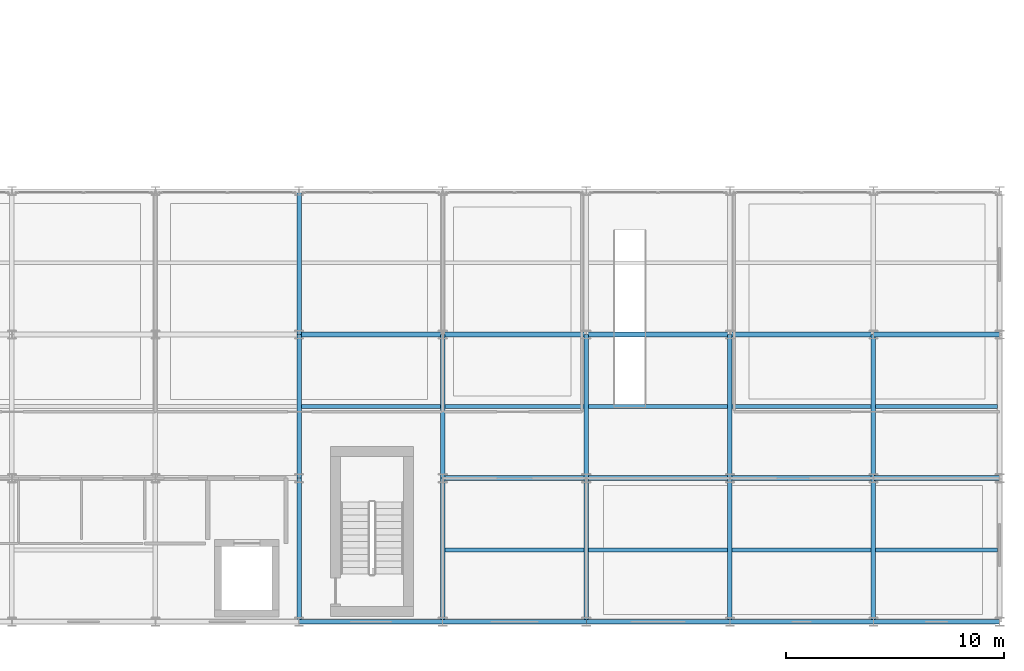
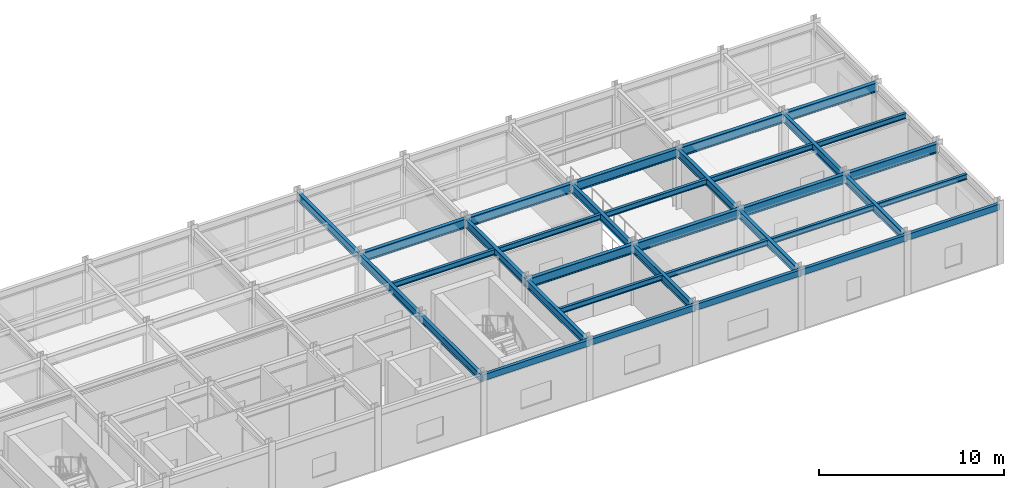
# One storey, part 90 of 147: 34 beams.
"""IFC4 building model written with IfcOpenShell, lengths in metres."""

from ifc_helpers import new_model, si_unit, direction, frame, origin, origin_2d, place, context, subcontext, project, spatial, hollow_rectangle, i_section, extrude, material, material_profile, profile_set, type_object, element, save


model = new_model("IFC4")

# Units and contexts
model_context = context("Model", 3, precision=1e-05, world=origin(), true_north=direction((0.0, 1.0)))
body_context = subcontext(model_context, "Body", "Model", "MODEL_VIEW")
ifc_project = project(units=[si_unit("LENGTHUNIT", "METRE"), si_unit("AREAUNIT", "SQUARE_METRE"), si_unit("VOLUMEUNIT", "CUBIC_METRE"), si_unit("PLANEANGLEUNIT", "RADIAN"), si_unit("MASSUNIT", "GRAM", prefix="KILO")], contexts=[model_context])

# Site, building, storey
site_placement = place(None, origin())
site = spatial("IfcSite", under=ifc_project, at=site_placement, CompositionType="ELEMENT")
building_placement = place(site_placement, origin())
building = spatial("IfcBuilding", under=site, at=building_placement, Name="Karori Crest Natural Sciences Institute", CompositionType="ELEMENT")
storey_placement = place(building_placement, frame((0.0, 0.0, 9.10009765625)))
storey = spatial("IfcBuildingStorey", under=building, at=storey_placement, Name="L02", CompositionType="ELEMENT", Elevation=9.10009765625)

# Beams
ifc_material_1 = material(Name="Structural steel AS/NZS 3679.1 Grade 350", Category="steel")
ifc_material_profile_1 = material_profile(ifc_material_1, i_section(OverallWidth=0.22900390625, OverallDepth=0.612060546875, WebThickness=0.011962890625, FlangeThickness=0.01953125, FilletRadius=0.013916015625, at=origin_2d()), Name="610UB125")
ifc_profile_set_1 = profile_set([ifc_material_profile_1], Name="Structural steel AS/NZS 3679.1 Grade 350")
beam_type_1 = type_object("IfcBeamType", Name="BT-04", PredefinedType="BEAM", material=ifc_profile_set_1)
beam_1_placement = place(storey_placement, frame((136.60009765625, 7.39990234375, 3.614013671875), z_axis=(1.0, 0.0, 0.0), x_axis=(0.0, 1.0, 0.0)))
element("IfcBeam", 1, at=beam_1_placement, inside=storey, type_object=beam_type_1, Name="Beam B-2207", PredefinedType="BEAM", context=body_context, shape_type="SweptSolid", body=[
    extrude(i_section(OverallWidth=0.22900390625, OverallDepth=0.612060546875, WebThickness=0.011962890625, FlangeThickness=0.01953125, FilletRadius=0.013916015625, at=origin_2d()), origin(), (0.0, 0.0, 1.0), 6.599853515625),
])
beam_2_placement = place(storey_placement, frame((143.199951171875, 7.39990234375, 3.614013671875), z_axis=(1.0, 0.0, 0.0), x_axis=(0.0, 1.0, 0.0)))
element("IfcBeam", 2, at=beam_2_placement, inside=storey, type_object=beam_type_1, Name="Beam B-2208", PredefinedType="BEAM", context=body_context, shape_type="SweptSolid", body=[
    extrude(i_section(OverallWidth=0.22900390625, OverallDepth=0.612060546875, WebThickness=0.011962890625, FlangeThickness=0.01953125, FilletRadius=0.013916015625, at=origin_2d()), origin(), (0.0, 0.0, 1.0), 6.60009765625),
])
beam_3_placement = place(storey_placement, frame((149.800048828125, 7.39990234375, 3.614013671875), z_axis=(1.0, 0.0, 0.0), x_axis=(0.0, 1.0, 0.0)))
element("IfcBeam", 3, at=beam_3_placement, inside=storey, type_object=beam_type_1, Name="Beam B-2209", PredefinedType="BEAM", context=body_context, shape_type="SweptSolid", body=[
    extrude(i_section(OverallWidth=0.22900390625, OverallDepth=0.612060546875, WebThickness=0.011962890625, FlangeThickness=0.01953125, FilletRadius=0.013916015625, at=origin_2d()), origin(), (0.0, 0.0, 1.0), 6.599853515625),
])
beam_4_placement = place(storey_placement, frame((156.39990234375, 7.39990234375, 3.614013671875), z_axis=(1.0, 0.0, 0.0), x_axis=(0.0, 1.0, 0.0)))
element("IfcBeam", 4, at=beam_4_placement, inside=storey, type_object=beam_type_1, Name="Beam B-2210", PredefinedType="BEAM", context=body_context, shape_type="SweptSolid", body=[
    extrude(i_section(OverallWidth=0.22900390625, OverallDepth=0.612060546875, WebThickness=0.011962890625, FlangeThickness=0.01953125, FilletRadius=0.013916015625, at=origin_2d()), origin(), (0.0, 0.0, 1.0), 5.800048828125),
])
beam_5_placement = place(storey_placement, frame((130.0, 14.0, 3.614013671875), z_axis=(1.0, 0.0, 0.0), x_axis=(0.0, 1.0, 0.0)))
element("IfcBeam", 5, at=beam_5_placement, inside=storey, type_object=beam_type_1, Name="Beam B-2215", PredefinedType="BEAM", context=body_context, shape_type="SweptSolid", body=[
    extrude(i_section(OverallWidth=0.22900390625, OverallDepth=0.612060546875, WebThickness=0.011962890625, FlangeThickness=0.01953125, FilletRadius=0.013916015625, at=origin_2d()), origin(), (0.0, 0.0, 1.0), 6.60009765625),
])
beam_6_placement = place(storey_placement, frame((136.60009765625, 14.0, 3.614013671875), z_axis=(1.0, 0.0, 0.0), x_axis=(0.0, 1.0, 0.0)))
element("IfcBeam", 6, at=beam_6_placement, inside=storey, type_object=beam_type_1, Name="Beam B-2216", PredefinedType="BEAM", context=body_context, shape_type="SweptSolid", body=[
    extrude(i_section(OverallWidth=0.22900390625, OverallDepth=0.612060546875, WebThickness=0.011962890625, FlangeThickness=0.01953125, FilletRadius=0.013916015625, at=origin_2d()), origin(), (0.0, 0.0, 1.0), 6.599853515625),
])
beam_7_placement = place(storey_placement, frame((143.199951171875, 14.0, 3.614013671875), z_axis=(1.0, 0.0, 0.0), x_axis=(0.0, 1.0, 0.0)))
element("IfcBeam", 7, at=beam_7_placement, inside=storey, type_object=beam_type_1, Name="Beam B-2217", PredefinedType="BEAM", context=body_context, shape_type="SweptSolid", body=[
    extrude(i_section(OverallWidth=0.22900390625, OverallDepth=0.612060546875, WebThickness=0.011962890625, FlangeThickness=0.01953125, FilletRadius=0.013916015625, at=origin_2d()), origin(), (0.0, 0.0, 1.0), 6.60009765625),
])
beam_8_placement = place(storey_placement, frame((149.800048828125, 14.0, 3.614013671875), z_axis=(1.0, 0.0, 0.0), x_axis=(0.0, 1.0, 0.0)))
element("IfcBeam", 8, at=beam_8_placement, inside=storey, type_object=beam_type_1, Name="Beam B-2218", PredefinedType="BEAM", context=body_context, shape_type="SweptSolid", body=[
    extrude(i_section(OverallWidth=0.22900390625, OverallDepth=0.612060546875, WebThickness=0.011962890625, FlangeThickness=0.01953125, FilletRadius=0.013916015625, at=origin_2d()), origin(), (0.0, 0.0, 1.0), 6.599853515625),
])
beam_9_placement = place(storey_placement, frame((156.39990234375, 14.0, 3.614013671875), z_axis=(1.0, 0.0, 0.0), x_axis=(0.0, 1.0, 0.0)))
element("IfcBeam", 9, at=beam_9_placement, inside=storey, type_object=beam_type_1, Name="Beam B-2219", PredefinedType="BEAM", context=body_context, shape_type="SweptSolid", body=[
    extrude(i_section(OverallWidth=0.22900390625, OverallDepth=0.612060546875, WebThickness=0.011962890625, FlangeThickness=0.01953125, FilletRadius=0.013916015625, at=origin_2d()), origin(), (0.0, 0.0, 1.0), 5.800048828125),
])
ifc_material_profile_2 = material_profile(ifc_material_1, i_section(OverallWidth=0.208984375, OverallDepth=0.532958984375, WebThickness=0.01025390625, FlangeThickness=0.015625, FilletRadius=0.013916015625, at=origin_2d()), Name="530UB92.4")
ifc_profile_set_2 = profile_set([ifc_material_profile_2], Name="Structural steel AS/NZS 3679.1 Grade 350")
beam_type_2 = type_object("IfcBeamType", Name="BT-05", PredefinedType="BEAM", material=ifc_profile_set_2)
beam_10_placement = place(storey_placement, frame((130.0, 0.800048828125, 3.6533203125), z_axis=(0.0, 1.0, 0.0), x_axis=(-1.0, 0.0, 0.0)))
element("IfcBeam", 10, at=beam_10_placement, inside=storey, type_object=beam_type_2, Name="Beam B-2241", PredefinedType="BEAM", context=body_context, shape_type="SweptSolid", body=[
    extrude(i_section(OverallWidth=0.208984375, OverallDepth=0.532958984375, WebThickness=0.01025390625, FlangeThickness=0.015625, FilletRadius=0.013916015625, at=origin_2d()), origin(), (0.0, 0.0, 1.0), 6.599853515625),
])
for number, where, z_axis, x_axis, name in (
    (11, (130.0, 7.39990234375, 3.6533203125), (0.0, 1.0, 0.0), (-1.0, 0.0, 0.0), "Beam B-2242"),
    (12, (130.0, 14.0, 3.6533203125), (0.0, 1.0, 0.0), (-1.0, 0.0, 0.0), "Beam B-2243"),
):
    element("IfcBeam", number, at=place(storey_placement, frame(where, z_axis=z_axis, x_axis=x_axis)), inside=storey, type_object=beam_type_2, Name=name, PredefinedType="BEAM", context=body_context, shape_type="SweptSolid", body=[
        extrude(i_section(OverallWidth=0.208984375, OverallDepth=0.532958984375, WebThickness=0.01025390625, FlangeThickness=0.015625, FilletRadius=0.013916015625, at=origin_2d()), origin(), (0.0, 0.0, 1.0), 6.60009765625),
    ])
beam_11_placement = place(storey_placement, frame((136.60009765625, 0.800048828125, 3.6533203125), z_axis=(0.0, 1.0, 0.0), x_axis=(-1.0, 0.0, 0.0)))
element("IfcBeam", 13, at=beam_11_placement, inside=storey, type_object=beam_type_2, Name="Beam B-2244", PredefinedType="BEAM", context=body_context, shape_type="SweptSolid", body=[
    extrude(i_section(OverallWidth=0.208984375, OverallDepth=0.532958984375, WebThickness=0.01025390625, FlangeThickness=0.015625, FilletRadius=0.013916015625, at=origin_2d()), origin(), (0.0, 0.0, 1.0), 6.599853515625),
])
beam_12_placement = place(storey_placement, frame((136.60009765625, 7.39990234375, 3.6533203125), z_axis=(0.0, 1.0, 0.0), x_axis=(-1.0, 0.0, 0.0)))
element("IfcBeam", 14, at=beam_12_placement, inside=storey, type_object=beam_type_2, Name="Beam B-2245", PredefinedType="BEAM", context=body_context, shape_type="SweptSolid", body=[
    extrude(i_section(OverallWidth=0.208984375, OverallDepth=0.532958984375, WebThickness=0.01025390625, FlangeThickness=0.015625, FilletRadius=0.013916015625, at=origin_2d()), origin(), (0.0, 0.0, 1.0), 6.60009765625),
])
beam_13_placement = place(storey_placement, frame((143.199951171875, 0.800048828125, 3.6533203125), z_axis=(0.0, 1.0, 0.0), x_axis=(-1.0, 0.0, 0.0)))
element("IfcBeam", 15, at=beam_13_placement, inside=storey, type_object=beam_type_2, Name="Beam B-2247", PredefinedType="BEAM", context=body_context, shape_type="SweptSolid", body=[
    extrude(i_section(OverallWidth=0.208984375, OverallDepth=0.532958984375, WebThickness=0.01025390625, FlangeThickness=0.015625, FilletRadius=0.013916015625, at=origin_2d()), origin(), (0.0, 0.0, 1.0), 6.599853515625),
])
beam_14_placement = place(storey_placement, frame((143.199951171875, 7.39990234375, 3.6533203125), z_axis=(0.0, 1.0, 0.0), x_axis=(-1.0, 0.0, 0.0)))
element("IfcBeam", 16, at=beam_14_placement, inside=storey, type_object=beam_type_2, Name="Beam B-2248", PredefinedType="BEAM", context=body_context, shape_type="SweptSolid", body=[
    extrude(i_section(OverallWidth=0.208984375, OverallDepth=0.532958984375, WebThickness=0.01025390625, FlangeThickness=0.015625, FilletRadius=0.013916015625, at=origin_2d()), origin(), (0.0, 0.0, 1.0), 6.60009765625),
])
beam_15_placement = place(storey_placement, frame((149.800048828125, 0.800048828125, 3.6533203125), z_axis=(0.0, 1.0, 0.0), x_axis=(-1.0, 0.0, 0.0)))
element("IfcBeam", 17, at=beam_15_placement, inside=storey, type_object=beam_type_2, Name="Beam B-2250", PredefinedType="BEAM", context=body_context, shape_type="SweptSolid", body=[
    extrude(i_section(OverallWidth=0.208984375, OverallDepth=0.532958984375, WebThickness=0.01025390625, FlangeThickness=0.015625, FilletRadius=0.013916015625, at=origin_2d()), origin(), (0.0, 0.0, 1.0), 6.599853515625),
])
beam_16_placement = place(storey_placement, frame((149.800048828125, 7.39990234375, 3.6533203125), z_axis=(0.0, 1.0, 0.0), x_axis=(-1.0, 0.0, 0.0)))
element("IfcBeam", 18, at=beam_16_placement, inside=storey, type_object=beam_type_2, Name="Beam B-2251", PredefinedType="BEAM", context=body_context, shape_type="SweptSolid", body=[
    extrude(i_section(OverallWidth=0.208984375, OverallDepth=0.532958984375, WebThickness=0.01025390625, FlangeThickness=0.015625, FilletRadius=0.013916015625, at=origin_2d()), origin(), (0.0, 0.0, 1.0), 6.60009765625),
])
beam_17_placement = place(storey_placement, frame((156.39990234375, 0.800048828125, 3.6533203125), z_axis=(0.0, 1.0, 0.0), x_axis=(-1.0, 0.0, 0.0)))
element("IfcBeam", 19, at=beam_17_placement, inside=storey, type_object=beam_type_2, Name="Beam B-2253", PredefinedType="BEAM", context=body_context, shape_type="SweptSolid", body=[
    extrude(i_section(OverallWidth=0.208984375, OverallDepth=0.532958984375, WebThickness=0.01025390625, FlangeThickness=0.015625, FilletRadius=0.013916015625, at=origin_2d()), origin(), (0.0, 0.0, 1.0), 6.599853515625),
])
beam_18_placement = place(storey_placement, frame((156.39990234375, 7.39990234375, 3.6533203125), z_axis=(0.0, 1.0, 0.0), x_axis=(-1.0, 0.0, 0.0)))
element("IfcBeam", 20, at=beam_18_placement, inside=storey, type_object=beam_type_2, Name="Beam B-2254", PredefinedType="BEAM", context=body_context, shape_type="SweptSolid", body=[
    extrude(i_section(OverallWidth=0.208984375, OverallDepth=0.532958984375, WebThickness=0.01025390625, FlangeThickness=0.015625, FilletRadius=0.013916015625, at=origin_2d()), origin(), (0.0, 0.0, 1.0), 6.60009765625),
])
ifc_material_profile_3 = material_profile(ifc_material_1, i_section(OverallWidth=0.172119140625, OverallDepth=0.35888671875, WebThickness=0.008056640625, FlangeThickness=0.012939453125, FilletRadius=0.010986328125, at=origin_2d()), Name="360UB56.7")
ifc_profile_set_3 = profile_set([ifc_material_profile_3], Name="Structural steel AS/NZS 3679.1 Grade 350")
beam_type_3 = type_object("IfcBeamType", Name="BT-08", PredefinedType="BEAM", material=ifc_profile_set_3)
beam_19_placement = place(storey_placement, frame((130.1044921875, 10.699951171875, 3.740478515625), z_axis=(1.0, 0.0, 0.0), x_axis=(0.0, 1.0, 0.0)))
element("IfcBeam", 21, at=beam_19_placement, inside=storey, type_object=beam_type_3, Name="Beam B-2268", PredefinedType="BEAM", context=body_context, shape_type="SweptSolid", body=[
    extrude(i_section(OverallWidth=0.172119140625, OverallDepth=0.35888671875, WebThickness=0.008056640625, FlangeThickness=0.012939453125, FilletRadius=0.010986328125, at=origin_2d()), origin(), (0.0, 0.0, 1.0), 6.39111328125),
])
for number, where, z_axis, x_axis, name in (
    (22, (136.70458984375, 4.10009765625, 3.740478515625), (1.0, 0.0, 0.0), (0.0, 1.0, 0.0), "Beam B-2270"),
    (23, (136.70458984375, 10.699951171875, 3.740478515625), (1.0, 0.0, 0.0), (0.0, 1.0, 0.0), "Beam B-2271"),
):
    element("IfcBeam", number, at=place(storey_placement, frame(where, z_axis=z_axis, x_axis=x_axis)), inside=storey, type_object=beam_type_3, Name=name, PredefinedType="BEAM", context=body_context, shape_type="SweptSolid", body=[
        extrude(i_section(OverallWidth=0.172119140625, OverallDepth=0.35888671875, WebThickness=0.008056640625, FlangeThickness=0.012939453125, FilletRadius=0.010986328125, at=origin_2d()), origin(), (0.0, 0.0, 1.0), 6.390869140625),
    ])
for number, where, z_axis, x_axis, name in (
    (24, (143.304443359375, 4.10009765625, 3.740478515625), (1.0, 0.0, 0.0), (0.0, 1.0, 0.0), "Beam B-2273"),
    (25, (143.304443359375, 10.699951171875, 3.740478515625), (1.0, 0.0, 0.0), (0.0, 1.0, 0.0), "Beam B-2274"),
):
    element("IfcBeam", number, at=place(storey_placement, frame(where, z_axis=z_axis, x_axis=x_axis)), inside=storey, type_object=beam_type_3, Name=name, PredefinedType="BEAM", context=body_context, shape_type="SweptSolid", body=[
        extrude(i_section(OverallWidth=0.172119140625, OverallDepth=0.35888671875, WebThickness=0.008056640625, FlangeThickness=0.012939453125, FilletRadius=0.010986328125, at=origin_2d()), origin(), (0.0, 0.0, 1.0), 6.39111328125),
    ])
for number, where, z_axis, x_axis, name in (
    (26, (149.904541015625, 4.10009765625, 3.740478515625), (1.0, 0.0, 0.0), (0.0, 1.0, 0.0), "Beam B-2276"),
    (27, (149.904541015625, 10.699951171875, 3.740478515625), (1.0, 0.0, 0.0), (0.0, 1.0, 0.0), "Beam B-2277"),
):
    element("IfcBeam", number, at=place(storey_placement, frame(where, z_axis=z_axis, x_axis=x_axis)), inside=storey, type_object=beam_type_3, Name=name, PredefinedType="BEAM", context=body_context, shape_type="SweptSolid", body=[
        extrude(i_section(OverallWidth=0.172119140625, OverallDepth=0.35888671875, WebThickness=0.008056640625, FlangeThickness=0.012939453125, FilletRadius=0.010986328125, at=origin_2d()), origin(), (0.0, 0.0, 1.0), 6.390869140625),
    ])
for number, where, z_axis, x_axis, name in (
    (28, (156.50439453125, 4.10009765625, 3.740478515625), (1.0, 0.0, 0.0), (0.0, 1.0, 0.0), "Beam B-2279"),
    (29, (156.50439453125, 10.699951171875, 3.740478515625), (1.0, 0.0, 0.0), (0.0, 1.0, 0.0), "Beam B-2280"),
):
    element("IfcBeam", number, at=place(storey_placement, frame(where, z_axis=z_axis, x_axis=x_axis)), inside=storey, type_object=beam_type_3, Name=name, PredefinedType="BEAM", context=body_context, shape_type="SweptSolid", body=[
        extrude(i_section(OverallWidth=0.172119140625, OverallDepth=0.35888671875, WebThickness=0.008056640625, FlangeThickness=0.012939453125, FilletRadius=0.010986328125, at=origin_2d()), origin(), (0.0, 0.0, 1.0), 5.591064453125),
    ])
ifc_material_2 = material(Name="Hollow structural steel AS/NZS 1163 Grade C350", Category="steel")
ifc_material_profile_4 = material_profile(ifc_material_2, hollow_rectangle(XDim=0.199951171875, YDim=0.39990234375, WallThickness=0.012451171875, at=origin_2d()), Name="RHS400x200x12.5")
ifc_profile_set_4 = profile_set([ifc_material_profile_4], Name="Hollow structural steel AS/NZS 1163 Grade C350")
beam_type_4 = type_object("IfcBeamType", Name="BT-14", PredefinedType="SPANDREL", material=ifc_profile_set_4)
beam_20_placement = place(storey_placement, frame((130.0, 0.800048828125, 3.719970703125), z_axis=(1.0, 0.0, 0.0), x_axis=(0.0, 1.0, 0.0)))
element("IfcBeam", 30, at=beam_20_placement, inside=storey, type_object=beam_type_4, Name="Beam B-2199", PredefinedType="SPANDREL", context=body_context, shape_type="SweptSolid", body=[
    extrude(hollow_rectangle(XDim=0.199951171875, YDim=0.39990234375, WallThickness=0.012451171875, at=origin_2d()), origin(), (0.0, 0.0, 1.0), 6.60009765625),
])
beam_21_placement = place(storey_placement, frame((136.60009765625, 0.800048828125, 3.719970703125), z_axis=(1.0, 0.0, 0.0), x_axis=(0.0, 1.0, 0.0)))
element("IfcBeam", 31, at=beam_21_placement, inside=storey, type_object=beam_type_4, Name="Beam B-2200", PredefinedType="SPANDREL", context=body_context, shape_type="SweptSolid", body=[
    extrude(hollow_rectangle(XDim=0.199951171875, YDim=0.39990234375, WallThickness=0.012451171875, at=origin_2d()), origin(), (0.0, 0.0, 1.0), 6.599853515625),
])
beam_22_placement = place(storey_placement, frame((143.199951171875, 0.800048828125, 3.719970703125), z_axis=(1.0, 0.0, 0.0), x_axis=(0.0, 1.0, 0.0)))
element("IfcBeam", 32, at=beam_22_placement, inside=storey, type_object=beam_type_4, Name="Beam B-2201", PredefinedType="SPANDREL", context=body_context, shape_type="SweptSolid", body=[
    extrude(hollow_rectangle(XDim=0.199951171875, YDim=0.39990234375, WallThickness=0.012451171875, at=origin_2d()), origin(), (0.0, 0.0, 1.0), 6.60009765625),
])
beam_23_placement = place(storey_placement, frame((149.800048828125, 0.800048828125, 3.719970703125), z_axis=(1.0, 0.0, 0.0), x_axis=(0.0, 1.0, 0.0)))
element("IfcBeam", 33, at=beam_23_placement, inside=storey, type_object=beam_type_4, Name="Beam B-2202", PredefinedType="SPANDREL", context=body_context, shape_type="SweptSolid", body=[
    extrude(hollow_rectangle(XDim=0.199951171875, YDim=0.39990234375, WallThickness=0.012451171875, at=origin_2d()), origin(), (0.0, 0.0, 1.0), 6.599853515625),
])
beam_24_placement = place(storey_placement, frame((156.39990234375, 0.800048828125, 3.719970703125), z_axis=(1.0, 0.0, 0.0), x_axis=(0.0, 1.0, 0.0)))
element("IfcBeam", 34, at=beam_24_placement, inside=storey, type_object=beam_type_4, Name="Beam B-2203", PredefinedType="SPANDREL", context=body_context, shape_type="SweptSolid", body=[
    extrude(hollow_rectangle(XDim=0.199951171875, YDim=0.39990234375, WallThickness=0.012451171875, at=origin_2d()), origin(), (0.0, 0.0, 1.0), 5.800048828125),
])

save(model, "model.ifc")
